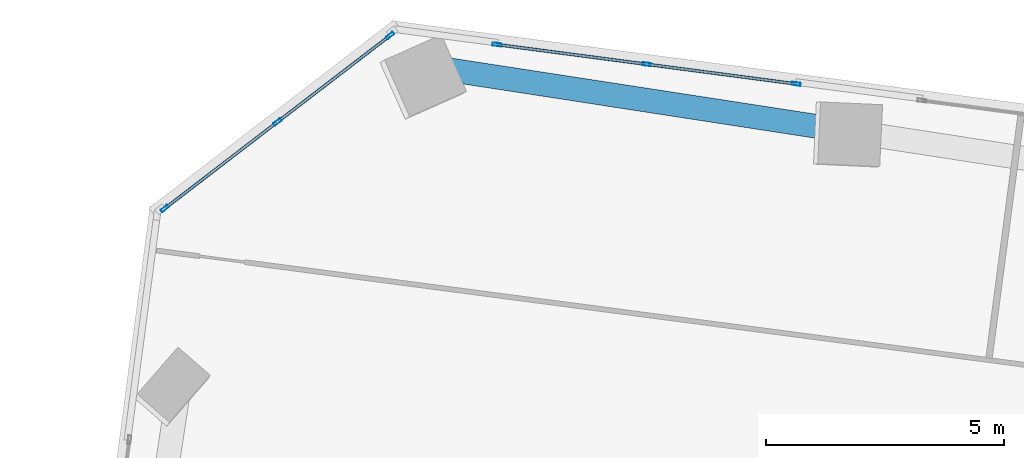
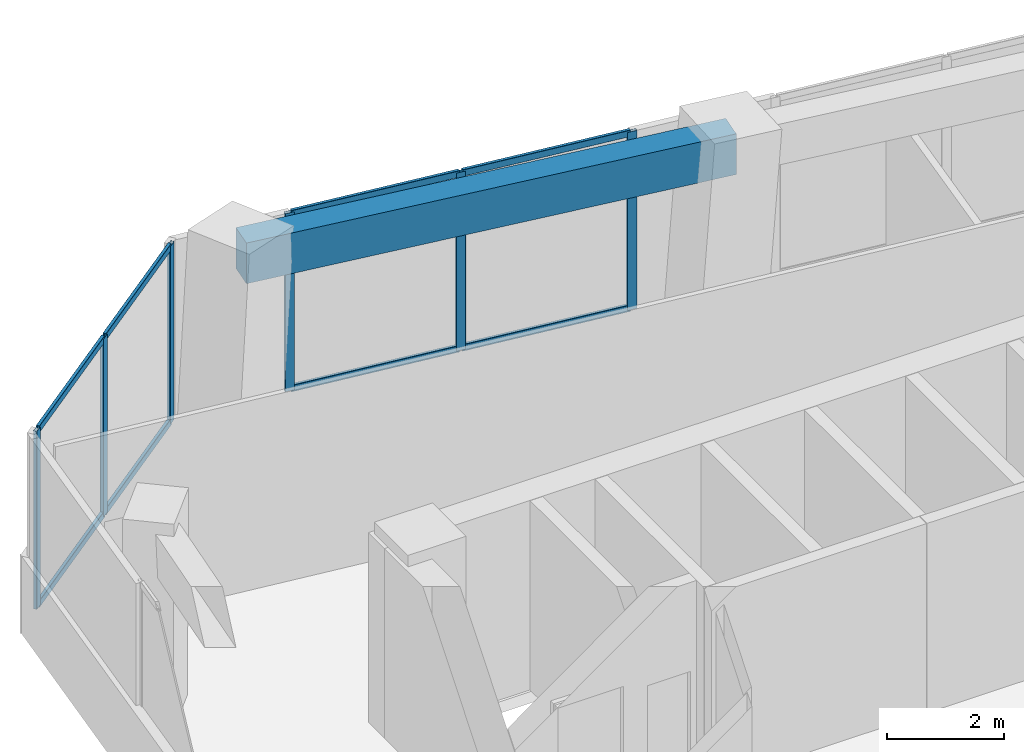
# One storey, part 15 of 24: 14 members, 1 beam, 2 elements without a shape of their own.
"""IFC4 building model written with IfcOpenShell, lengths in metres."""

from ifc_helpers import new_model, si_unit, direction, frame, origin, origin_2d, place, context, subcontext, project, spatial, rectangle, hollow_rectangle, extrude, source, transform, mapped, material, material_profile, profile_set, type_object, element, aggregate, save


model = new_model("IFC4")

# Units and contexts
model_context = context("Model", 3, precision=1e-05, world=origin(), true_north=direction((0.0, 1.0)))
body_context = subcontext(model_context, "Body", "Model", "MODEL_VIEW")
ifc_project = project(units=[si_unit("LENGTHUNIT", "METRE"), si_unit("AREAUNIT", "SQUARE_METRE"), si_unit("VOLUMEUNIT", "CUBIC_METRE"), si_unit("PLANEANGLEUNIT", "RADIAN"), si_unit("MASSUNIT", "GRAM", prefix="KILO")], contexts=[model_context])

# Site, building, storey
site_placement = place(None, origin())
site = spatial("IfcSite", under=ifc_project, at=site_placement, CompositionType="ELEMENT")
building_placement = place(site_placement, origin())
building = spatial("IfcBuilding", under=site, at=building_placement, Name="Torre Montelarca", CompositionType="ELEMENT")
storey_placement = place(building_placement, frame((0.0, 0.0, 66.39990234375)))
storey = spatial("IfcBuildingStorey", under=building, at=storey_placement, Name="L14", CompositionType="ELEMENT", Elevation=66.39990234375)

# Beam
ifc_material_1 = material(Name="Concrete C55/67", Category="concrete")
ifc_material_profile_1 = material_profile(ifc_material_1, rectangle(XDim=0.5, YDim=0.85009765625, at=origin_2d()), Name="RCB500X850", Category="concrete")
ifc_profile_set_1 = profile_set([ifc_material_profile_1], Name="Concrete C55/67")
beam_type = type_object("IfcBeamType", Name="BM-SP-RC850-EXT", PredefinedType="SPANDREL", material=ifc_profile_set_1)
shared_shape_1 = source(origin(), body_context, "Body", "SweptSolid", [
    extrude(rectangle(XDim=0.5, YDim=0.85009765625, at=origin_2d()), origin(), (0.0, 0.0, 1.0), 9.0),
])
beam_placement = place(storey_placement, frame((11.4501953125, 48.875244140625, 3.53515625), z_axis=(0.988361032706, -0.152126490227, 0.0), x_axis=(0.152126490227, 0.988361032706, 0.0)))
element("IfcBeam", 1, at=beam_placement, inside=storey, type_object=beam_type, Name="L14 Grid Girder X 9.0-18.0 at Y=47.1", PredefinedType="SPANDREL", context=body_context, shape_type="MappedRepresentation", body=[
    mapped(shared_shape_1, transform((0.0, 0.0, 0.0), scale=1.0)),
])

# Curtain wall, members
ifc_material_2 = material(Name="Insulated low-E laminated glass", Category="glass")
curtain_wall_type = type_object("IfcCurtainWallType", Name="CW-SYS-Z1", PredefinedType="USERDEFINED", material=ifc_material_2)
curtain_wall_1_placement = place(storey_placement, origin())
curtain_wall_1 = element("IfcCurtainWall", 2, at=curtain_wall_1_placement, inside=storey, type_object=curtain_wall_type, Name="L14 Curtain Wall Run CW-T3-L14-E09-B1", ObjectType="UNITISED GLAZING", PredefinedType="USERDEFINED")
ifc_material_3 = material(Name="Anodised aluminium AA 6063-T6", Category="aluminium")
ifc_material_profile_2 = material_profile(ifc_material_3, hollow_rectangle(XDim=0.06494140625, YDim=0.139892578125, WallThickness=0.00390625, InnerFilletRadius=0.00390625, OuterFilletRadius=0.008056640625, at=origin_2d()), Name="ALU65X140X4", Category="aluminium")
ifc_profile_set_2 = profile_set([ifc_material_profile_2], Name="Anodised aluminium AA 6063-T6")
member_type_1 = type_object("IfcMemberType", Name="CWT-ALU140", PredefinedType="USERDEFINED", material=ifc_profile_set_2)
shared_shape_2 = source(origin(), body_context, "Body", "SweptSolid", [
    extrude(hollow_rectangle(XDim=0.06494140625, YDim=0.139892578125, WallThickness=0.00390625, InnerFilletRadius=0.00390625, OuterFilletRadius=0.008056640625, at=origin_2d()), origin(), (0.0, 0.0, 1.0), 2.9189453125),
])
member_1_placement = place(storey_placement, frame((10.423583984375, 49.540771484375, 0.03271484375), z_axis=(-0.793357237782, -0.608756349666, 0.0), x_axis=(0.608756349666, -0.793357237782, 0.0)))
member_1 = element("IfcMember", 3, at=member_1_placement, type_object=member_type_1, Name="CW transom 1.1", ObjectType="TRANSOM", PredefinedType="USERDEFINED", context=body_context, shape_type="MappedRepresentation", body=[
    mapped(shared_shape_2, transform((0.0, 0.0, 0.0), scale=1.0)),
])
member_2_placement = place(storey_placement, frame((10.423583984375, 49.540771484375, 3.6875), z_axis=(-0.793357237782, -0.608756349666, 0.0), x_axis=(0.608756349666, -0.793357237782, 0.0)))
member_2 = element("IfcMember", 4, at=member_2_placement, type_object=member_type_1, Name="CW transom 1.2", ObjectType="TRANSOM", PredefinedType="USERDEFINED", context=body_context, shape_type="MappedRepresentation", body=[
    mapped(shared_shape_2, transform((0.0, 0.0, 0.0), scale=1.0)),
])
shared_shape_3 = source(origin(), body_context, "Body", "SweptSolid", [
    extrude(hollow_rectangle(XDim=0.06494140625, YDim=0.139892578125, WallThickness=0.00390625, InnerFilletRadius=0.00390625, OuterFilletRadius=0.008056640625, at=origin_2d()), origin(), (0.0, 0.0, 1.0), 2.918701171875),
])
member_3_placement = place(storey_placement, frame((8.056396484375, 47.724365234375, 0.03271484375), z_axis=(-0.793326237783, -0.608796748058, 0.0), x_axis=(0.608796748058, -0.793326237783, 0.0)))
member_3 = element("IfcMember", 5, at=member_3_placement, type_object=member_type_1, Name="CW transom 2.1", ObjectType="TRANSOM", PredefinedType="USERDEFINED", context=body_context, shape_type="MappedRepresentation", body=[
    mapped(shared_shape_3, transform((0.0, 0.0, 0.0), scale=1.0)),
])
member_4_placement = place(storey_placement, frame((8.056396484375, 47.724365234375, 3.6875), z_axis=(-0.793326237783, -0.608796748058, 0.0), x_axis=(0.608796748058, -0.793326237783, 0.0)))
member_4 = element("IfcMember", 6, at=member_4_placement, type_object=member_type_1, Name="CW transom 2.2", ObjectType="TRANSOM", PredefinedType="USERDEFINED", context=body_context, shape_type="MappedRepresentation", body=[
    mapped(shared_shape_3, transform((0.0, 0.0, 0.0), scale=1.0)),
])

curtain_wall_2_placement = place(storey_placement, origin())
curtain_wall_2 = element("IfcCurtainWall", 7, at=curtain_wall_2_placement, inside=storey, type_object=curtain_wall_type, Name="L14 Curtain Wall Run CW-T3-L14-E08-B4", ObjectType="UNITISED GLAZING", PredefinedType="USERDEFINED")
shared_shape_4 = source(origin(), body_context, "Body", "SweptSolid", [
    extrude(hollow_rectangle(XDim=0.06494140625, YDim=0.139892578125, WallThickness=0.00390625, InnerFilletRadius=0.00390625, OuterFilletRadius=0.008056640625, at=origin_2d()), origin(), (0.0, 0.0, 1.0), 3.105712890625),
])
member_5_placement = place(storey_placement, frame((15.799072265625, 48.959228515625, 0.03271484375), z_axis=(-0.991448943343, 0.130495182838, 0.0), x_axis=(-0.130495182838, -0.991448943343, 0.0)))
member_5 = element("IfcMember", 8, at=member_5_placement, type_object=member_type_1, Name="CW transom 2.1", ObjectType="TRANSOM", PredefinedType="USERDEFINED", context=body_context, shape_type="MappedRepresentation", body=[
    mapped(shared_shape_4, transform((0.0, 0.0, 0.0), scale=1.0)),
])
member_6_placement = place(storey_placement, frame((15.799072265625, 48.959228515625, 3.6875), z_axis=(-0.991448943343, 0.130495182838, 0.0), x_axis=(-0.130495182838, -0.991448943343, 0.0)))
member_6 = element("IfcMember", 9, at=member_6_placement, type_object=member_type_1, Name="CW transom 2.2", ObjectType="TRANSOM", PredefinedType="USERDEFINED", context=body_context, shape_type="MappedRepresentation", body=[
    mapped(shared_shape_4, transform((0.0, 0.0, 0.0), scale=1.0)),
])
shared_shape_5 = source(origin(), body_context, "Body", "SweptSolid", [
    extrude(hollow_rectangle(XDim=0.06494140625, YDim=0.139892578125, WallThickness=0.00390625, InnerFilletRadius=0.00390625, OuterFilletRadius=0.008056640625, at=origin_2d()), origin(), (0.0, 0.0, 1.0), 3.10595703125),
])
member_7_placement = place(storey_placement, frame((18.94287109375, 48.54541015625, 0.03271484375), z_axis=(-0.991450281862, 0.130485012915, 0.0), x_axis=(-0.130485012915, -0.991450281862, 0.0)))
member_7 = element("IfcMember", 10, at=member_7_placement, type_object=member_type_1, Name="CW transom 1.1", ObjectType="TRANSOM", PredefinedType="USERDEFINED", context=body_context, shape_type="MappedRepresentation", body=[
    mapped(shared_shape_5, transform((0.0, 0.0, 0.0), scale=1.0)),
])
member_8_placement = place(storey_placement, frame((18.94287109375, 48.54541015625, 3.6875), z_axis=(-0.991450281862, 0.130485012915, 0.0), x_axis=(-0.130485012915, -0.991450281862, 0.0)))
member_8 = element("IfcMember", 11, at=member_8_placement, type_object=member_type_1, Name="CW transom 1.2", ObjectType="TRANSOM", PredefinedType="USERDEFINED", context=body_context, shape_type="MappedRepresentation", body=[
    mapped(shared_shape_5, transform((0.0, 0.0, 0.0), scale=1.0)),
])
ifc_material_profile_3 = material_profile(ifc_material_3, hollow_rectangle(XDim=0.06494140625, YDim=0.179931640625, WallThickness=0.00390625, InnerFilletRadius=0.00390625, OuterFilletRadius=0.008056640625, at=origin_2d()), Name="ALU65X180X4", Category="aluminium")
ifc_profile_set_3 = profile_set([ifc_material_profile_3], Name="Anodised aluminium AA 6063-T6")
member_type_2 = type_object("IfcMemberType", Name="CWM-ALU180", PredefinedType="MULLION", material=ifc_profile_set_3)
shared_shape_6 = source(origin(), body_context, "Body", "SweptSolid", [
    extrude(hollow_rectangle(XDim=0.06494140625, YDim=0.179931640625, WallThickness=0.00390625, InnerFilletRadius=0.00390625, OuterFilletRadius=0.008056640625, at=origin_2d()), origin(), (0.0, 0.0, 1.0), 3.72021484375),
])
member_9_placement = place(storey_placement, frame((18.97509765625, 48.541259765625, 0.0), z_axis=(0.0, 0.0, 1.0), x_axis=(-0.130523557966, -0.991445208176, 0.0)))
member_9 = element("IfcMember", 12, at=member_9_placement, type_object=member_type_2, Name="CW mullion 1", PredefinedType="MULLION", context=body_context, shape_type="MappedRepresentation", body=[
    mapped(shared_shape_6, transform((0.0, 0.0, 0.0), scale=1.0)),
])
member_10_placement = place(storey_placement, frame((15.831298828125, 48.955078125, 0.0), z_axis=(0.0, 0.0, 1.0), x_axis=(-0.130523557966, -0.991445208176, 0.0)))
member_10 = element("IfcMember", 13, at=member_10_placement, type_object=member_type_2, Name="CW mullion 2", PredefinedType="MULLION", context=body_context, shape_type="MappedRepresentation", body=[
    mapped(shared_shape_6, transform((0.0, 0.0, 0.0), scale=1.0)),
])
member_11_placement = place(storey_placement, frame((12.687744140625, 49.368896484375, 0.0), z_axis=(0.0, 0.0, 1.0), x_axis=(-0.130523557966, -0.991445208176, 0.0)))
member_11 = element("IfcMember", 14, at=member_11_placement, type_object=member_type_2, Name="CW mullion 3", PredefinedType="MULLION", context=body_context, shape_type="MappedRepresentation", body=[
    mapped(shared_shape_6, transform((0.0, 0.0, 0.0), scale=1.0)),
])
aggregate(curtain_wall_2, [member_9, member_10, member_11, member_7, member_8, member_5, member_6])

# Member
member_12_placement = place(storey_placement, frame((10.44921875, 49.560546875, 0.0), z_axis=(0.0, 0.0, 1.0), x_axis=(0.608764194066, -0.793351218581, 0.0)))
member_12 = element("IfcMember", 15, at=member_12_placement, type_object=member_type_2, Name="CW mullion 1", PredefinedType="MULLION", context=body_context, shape_type="MappedRepresentation", body=[
    mapped(shared_shape_6, transform((0.0, 0.0, 0.0), scale=1.0)),
])

member_13_placement = place(storey_placement, frame((8.082275390625, 47.744140625, 0.0), z_axis=(0.0, 0.0, 1.0), x_axis=(0.608764194066, -0.793351218581, 0.0)))
member_13 = element("IfcMember", 16, at=member_13_placement, type_object=member_type_2, Name="CW mullion 2", PredefinedType="MULLION", context=body_context, shape_type="MappedRepresentation", body=[
    mapped(shared_shape_6, transform((0.0, 0.0, 0.0), scale=1.0)),
])

member_14_placement = place(storey_placement, frame((5.715087890625, 45.927734375, 0.0), z_axis=(0.0, 0.0, 1.0), x_axis=(0.608764194066, -0.793351218581, 0.0)))
member_14 = element("IfcMember", 17, at=member_14_placement, type_object=member_type_2, Name="CW mullion 3", PredefinedType="MULLION", context=body_context, shape_type="MappedRepresentation", body=[
    mapped(shared_shape_6, transform((0.0, 0.0, 0.0), scale=1.0)),
])

aggregate(curtain_wall_1, [member_12, member_13, member_14, member_1, member_2, member_3, member_4])

save(model, "model.ifc")
